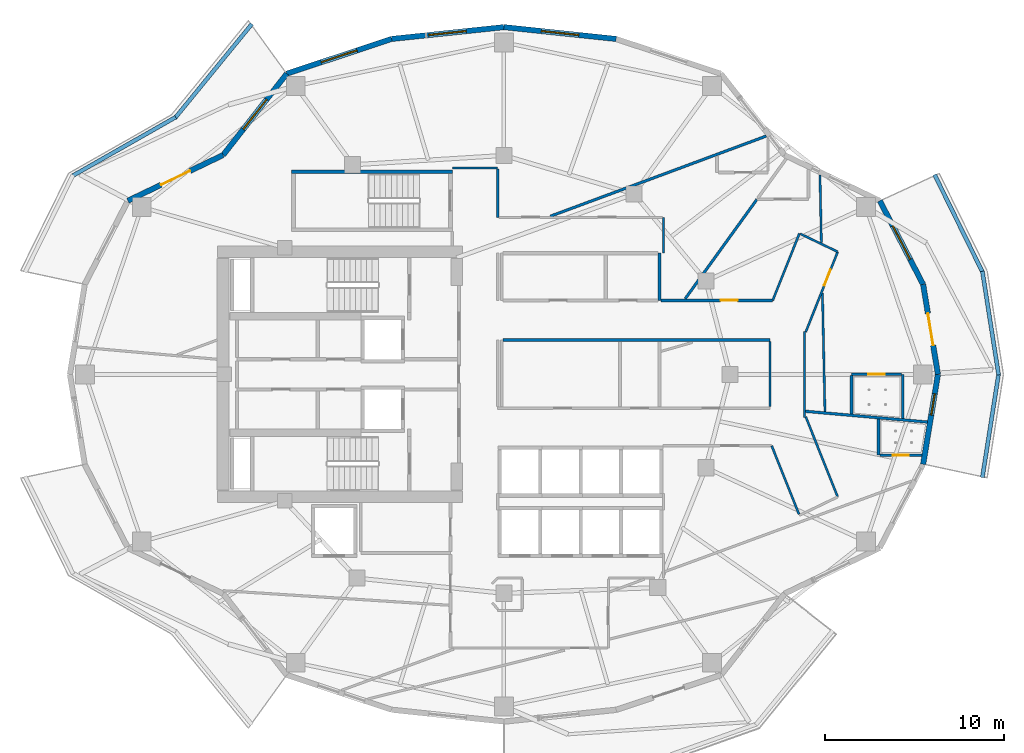
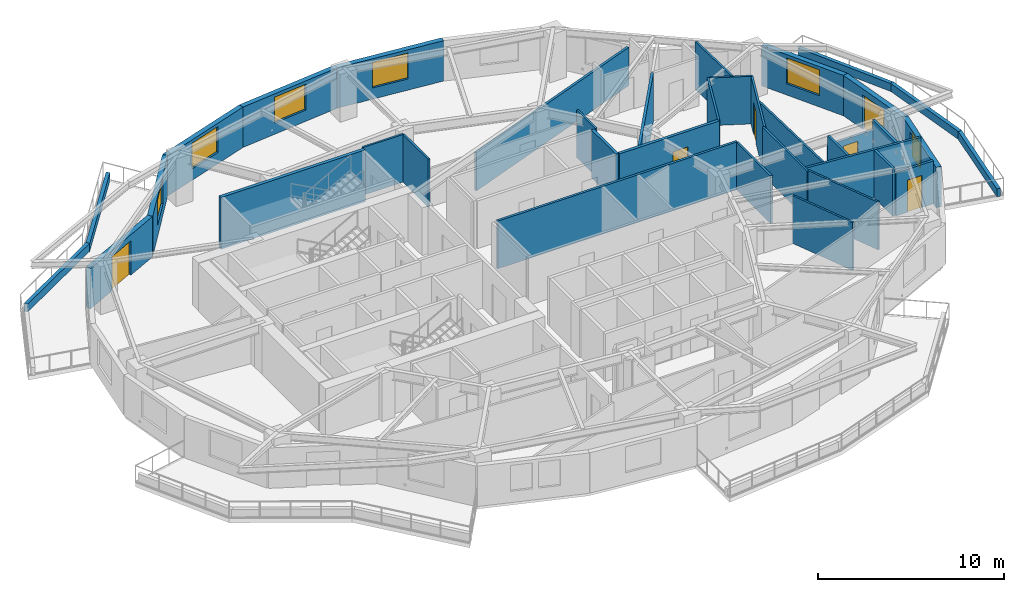
# One storey, part 6 of 14: 37 walls, 6 doors, 6 windows, 12 openings.
"""IFC4 building model written with IfcOpenShell, lengths in metres."""

import ifcopenshell
import ifcopenshell.guid

model = None  # the IFC model being written
_history = None  # IfcOwnerHistory: only IFC2X3 demands one
_inside = {}  # id of a spatial element -> (the spatial element, [elements in it])
_under = {}  # id of a project, library or spatial element -> (it, [spatial elements below it])
_declared = {}  # id of a project -> (the project, [libraries it declares])
_typed = {}  # id of a type object -> (the type object, [elements of that type])
_made_of = {}  # id of a material, layer set ... -> (it, [elements and type objects made of it])


def new_model(schema):
    """Start an empty IFC model of exactly this schema.

    Asked for "IFC4X3", IfcOpenShell would pick the latest addendum, in which some entities
    have other attributes; the version numbers below select the first issue.
    IFC2X3 requires an IfcOwnerHistory on every rooted entity: one is made here for all.
    """
    global model, _history
    if schema == "IFC4X3":
        model = ifcopenshell.file(schema_version=(4, 3, 0, 0))
    else:
        model = ifcopenshell.file(schema=schema)
    _inside.clear()
    _under.clear()
    _declared.clear()
    _typed.clear()
    _made_of.clear()
    _history = None
    if model.schema == "IFC2X3":
        org = make("IfcOrganization", Name="unknown")
        user = make(
            "IfcPersonAndOrganization",
            ThePerson=make("IfcPerson", FamilyName="unknown"),
            TheOrganization=org,
        )
        app = make(
            "IfcApplication",
            ApplicationDeveloper=org,
            Version="unknown",
            ApplicationFullName="unknown",
            ApplicationIdentifier="unknown",
        )
        _history = make(
            "IfcOwnerHistory",
            OwningUser=user,
            OwningApplication=app,
            ChangeAction="ADDED",
            CreationDate=0,
        )
    return model


def make(cls, **values):
    """One entity of the class cls with the attributes given. An attribute that is None is left unset."""
    return model.create_entity(
        cls, **{name: value for name, value in values.items() if value is not None}
    )


def rooted(cls, **values):
    """An entity with a GlobalId (a new one), such as an element, a storey or a relation."""
    return make(cls, GlobalId=ifcopenshell.guid.new(), OwnerHistory=_history, **values)


def si_unit(unit_type, name, prefix=None):
    """IfcSIUnit, for example si_unit("LENGTHUNIT", "METRE", prefix="MILLI")."""
    return make("IfcSIUnit", UnitType=unit_type, Prefix=prefix, Name=name)


def assignment(units):
    """IfcUnitAssignment: the units of a project."""
    return None if units is None else make("IfcUnitAssignment", Units=units)


def point(xyz):
    """IfcCartesianPoint."""
    return None if xyz is None else make("IfcCartesianPoint", Coordinates=xyz)


def direction(xyz):
    """IfcDirection."""
    return None if xyz is None else make("IfcDirection", DirectionRatios=xyz)


def frame(location, z_axis=None, x_axis=None):
    """IfcAxis2Placement3D, a coordinate frame: its origin and axes. An axis left out is left unset."""
    return make(
        "IfcAxis2Placement3D",
        Location=point(location),
        Axis=direction(z_axis),
        RefDirection=direction(x_axis),
    )


def frame_2d(location, x_axis=None):
    """IfcAxis2Placement2D, a coordinate frame in the plane: its origin and x axis."""
    return make(
        "IfcAxis2Placement2D", Location=point(location), RefDirection=direction(x_axis)
    )


def origin():
    """The frame at (0, 0, 0) with its axes left unset."""
    return frame((0.0, 0.0, 0.0))


def place(relative_to, where):
    """IfcLocalPlacement: puts the frame where relative to a parent placement (None: the world)."""
    return make(
        "IfcLocalPlacement", PlacementRelTo=relative_to, RelativePlacement=where
    )


def context(
    kind, dimensions, precision=None, world=None, true_north=None, identifier=None
):
    """IfcGeometricRepresentationContext, for example the 3D "Model" context."""
    return make(
        "IfcGeometricRepresentationContext",
        ContextIdentifier=identifier,
        ContextType=kind,
        CoordinateSpaceDimension=dimensions,
        Precision=precision,
        WorldCoordinateSystem=world,
        TrueNorth=true_north,
    )


def subcontext(parent, identifier, kind, view, scale=None):
    """IfcGeometricRepresentationSubContext, for example "Body" below "Model"."""
    return make(
        "IfcGeometricRepresentationSubContext",
        ContextIdentifier=identifier,
        ContextType=kind,
        ParentContext=parent,
        TargetScale=scale,
        TargetView=view,
    )


def project(units=None, contexts=None):
    """IfcProject with its units and contexts."""
    return rooted(
        "IfcProject",
        Name="project",
        RepresentationContexts=contexts,
        UnitsInContext=assignment(units),
    )


def spatial(cls, under=None, at=None, **own):
    """A site, building, storey or space (cls), placed at a placement, below another one or the project."""
    s = rooted(cls, ObjectPlacement=at, **own)
    if under is not None:
        _under.setdefault(under.id(), (under, []))[1].append(s)
    return s


def profile(cls, at=None, kind="AREA", **sizes):
    """A parametric profile (cls). Its sizes go by their IFC names, for example OverallWidth=200.0."""
    return make(cls, ProfileType=kind, Position=at, **sizes)


def rectangle(**sizes):
    """IfcRectangleProfileDef."""
    return profile("IfcRectangleProfileDef", **sizes)


def extrude(swept, where, along, depth):
    """IfcExtrudedAreaSolid: the profile swept, set in the frame where, extruded along a direction by depth."""
    return make(
        "IfcExtrudedAreaSolid",
        SweptArea=swept,
        Position=where,
        ExtrudedDirection=direction(along),
        Depth=depth,
    )


def shape(context_of_items, identifier, shape_type, items):
    """IfcShapeRepresentation: the items that make up one representation, for example the "Body"."""
    return make(
        "IfcShapeRepresentation",
        ContextOfItems=context_of_items,
        RepresentationIdentifier=identifier,
        RepresentationType=shape_type,
        Items=items,
    )


def material(Name=None, Category=None):
    """IfcMaterial."""
    return make("IfcMaterial", Name=Name, Category=Category)


def layer(
    of_material, thickness, ventilated=None, Name=None, Category=None, Priority=None
):
    """IfcMaterialLayer: one layer of a wall or slab, of a material (None: an air gap)."""
    return make(
        "IfcMaterialLayer",
        Material=of_material,
        LayerThickness=thickness,
        IsVentilated=ventilated,
        Name=Name,
        Category=Category,
        Priority=Priority,
    )


def layer_set(layers, Name=None):
    """IfcMaterialLayerSet."""
    return make("IfcMaterialLayerSet", MaterialLayers=layers, LayerSetName=Name)


def made_of(thing, what):
    """Note that an element or type object is made of a material, layer set ...; save() writes the relation."""
    if what is not None:
        _made_of.setdefault(what.id(), (what, []))[1].append(thing)
    return thing


def type_object(cls, material=None, **own):
    """A type object (cls), such as IfcWallType, which elements share."""
    return made_of(rooted(cls, **own), material)


def element(
    cls,
    number,
    at=None,
    inside=None,
    cuts=None,
    type_object=None,
    material=None,
    context=None,
    identifier="Body",
    shape_type=None,
    held_by="IfcProductDefinitionShape",
    body=None,
    shapes=None,
    **own,
):
    """One element of the class cls, such as IfcWall. Its Tag is "e" and its number.

    at: its placement. inside: the storey or other place that contains it. cuts: it is an
    opening in that element (IfcRelVoidsElement). A single representation is given by context,
    identifier, shape_type and body (its items); several are given by shapes. held_by: the class
    of the entity that holds the representations. save() writes the other relations.
    """
    e = rooted(cls, Tag="e%d" % number, ObjectPlacement=at, **own)
    if body is not None:
        shapes = [shape(context, identifier, shape_type, body)]
    if shapes is not None:
        e.Representation = make(held_by, Representations=shapes)
    if inside is not None:
        _inside.setdefault(inside.id(), (inside, []))[1].append(e)
    if cuts is not None:
        rooted(
            "IfcRelVoidsElement", RelatingBuildingElement=cuts, RelatedOpeningElement=e
        )
    if type_object is not None:
        _typed.setdefault(type_object.id(), (type_object, []))[1].append(e)
    return made_of(e, material)


def fill(opening, filler):
    """IfcRelFillsElement: the door or window that sits in an opening."""
    return rooted(
        "IfcRelFillsElement",
        RelatingOpeningElement=opening,
        RelatedBuildingElement=filler,
    )


def aggregate(whole, parts):
    """IfcRelAggregates: a whole, such as a stair, and the parts it consists of."""
    return rooted("IfcRelAggregates", RelatingObject=whole, RelatedObjects=parts)


def save(model, path):
    """Write the relations noted so far, then the file.

    IfcRelAggregates (storeys below a building ...), IfcRelContainedInSpatialStructure (elements
    in a storey), IfcRelDefinesByType, IfcRelAssociatesMaterial and IfcRelDeclares: one each for
    every whole, place, type object, material and project.
    """
    for whole, parts in _under.values():
        aggregate(whole, parts)
    for where, things in _inside.values():
        rooted(
            "IfcRelContainedInSpatialStructure",
            RelatedElements=things,
            RelatingStructure=where,
        )
    for kind, things in _typed.values():
        rooted("IfcRelDefinesByType", RelatedObjects=things, RelatingType=kind)
    for what, things in _made_of.values():
        rooted("IfcRelAssociatesMaterial", RelatedObjects=things, RelatingMaterial=what)
    for by, libraries in _declared.values():
        rooted("IfcRelDeclares", RelatingContext=by, RelatedDefinitions=libraries)
    model.write(path)


model = new_model("IFC4")

# Units and contexts
model_context = context("Model", 3, precision=1e-05, world=origin(), true_north=direction((0.0, 1.0)))
body_context = subcontext(model_context, "Body", "Model", "MODEL_VIEW")
ifc_project = project(units=[si_unit("LENGTHUNIT", "METRE"), si_unit("AREAUNIT", "SQUARE_METRE"), si_unit("VOLUMEUNIT", "CUBIC_METRE"), si_unit("PLANEANGLEUNIT", "RADIAN"), si_unit("MASSUNIT", "GRAM", prefix="KILO")], contexts=[model_context])

# Site, building, storey
site_placement = place(None, origin())
site = spatial("IfcSite", under=ifc_project, at=site_placement, CompositionType="ELEMENT")
building_placement = place(site_placement, origin())
building = spatial("IfcBuilding", under=site, at=building_placement, Name="Kolvaren Gate Tower and Convention Centre", CompositionType="ELEMENT")
storey_placement = place(building_placement, frame((0.0, 0.0, 132.5)))
storey = spatial("IfcBuildingStorey", under=building, at=storey_placement, Name="L33", CompositionType="ELEMENT", Elevation=132.5)

# Wall
ifc_material_1 = material(Name="Autoclaved Aerated Masonry Blockwork Class 4 (4.0 MPa)", Category="masonry")
ifc_layer_1 = layer(ifc_material_1, 0.179931640625)
ifc_layer_set_1 = layer_set([ifc_layer_1], Name="Autoclaved Aerated Masonry Blockwork Class 4 (4.0 MPa)")
wall_type_1 = type_object("IfcWallType", Name="ARCH-WL-COMP-180", PredefinedType="SOLIDWALL", material=ifc_layer_set_1)
wall_1_placement = place(storey_placement, frame((38.800048828125, 31.1201171875, 0.0), z_axis=(0.0, 0.0, 1.0), x_axis=(0.0, 1.0, 0.0)))
element("IfcWall", 1, at=wall_1_placement, inside=storey, type_object=wall_type_1, Name="Interior Partition WL-L33-INT-018", PredefinedType="SOLIDWALL", context=body_context, shape_type="SweptSolid", body=[
    extrude(rectangle(XDim=2.6298828125, YDim=0.179931640625, at=frame_2d((1.31494140625, 0.0))), origin(), (0.0, 0.0, 1.0), 3.1298828125),
])

# Wall, opening, door
wall_2_placement = place(storey_placement, frame((38.89208984375, 31.1201171875, 0.0), z_axis=(0.0, 0.0, 1.0), x_axis=(1.0, 0.0, 0.0)))
wall_2 = element("IfcWall", 2, at=wall_2_placement, inside=storey, type_object=wall_type_1, Name="Interior Partition WL-L33-INT-019 (2)", PredefinedType="SOLIDWALL", context=body_context, shape_type="SweptSolid", body=[
    extrude(rectangle(XDim=6.2138671875, YDim=0.179931640625, at=frame_2d((3.10693359375, 0.0))), origin(), (0.0, 0.0, 1.0), 3.1298828125),
])
opening_1_placement = place(wall_2_placement, frame((3.3134765625, 0.0, 0.0)))
opening_1 = element("IfcOpeningElement", 3, at=opening_1_placement, cuts=wall_2, Name="Opening DR-01", PredefinedType="OPENING", context=body_context, shape_type="SweptSolid", body=[
    extrude(rectangle(XDim=0.949951171875, YDim=2.10009765625, at=frame_2d((0.47509765625, 1.050048828125))), frame((0.0, 0.099853515625, 0.0), z_axis=(0.0, -1.0, 0.0), x_axis=(1.0, 0.0, 0.0)), (0.0, 0.0, 1.0), 0.199951171875),
])
ifc_material_2 = material(Name="Painted Architectural Steelwork ASTM A500 Grade C 345 MPa", Category="steel")
door_type_1 = type_object("IfcDoorType", Name="ARCH-DR-RISER-950", OperationType="SINGLE_SWING_RIGHT", PredefinedType="DOOR", material=ifc_material_2)
door_1_placement = place(opening_1_placement, origin())
door_1 = element("IfcDoor", 4, at=door_1_placement, inside=storey, type_object=door_type_1, Name="Hotel Guest Room (HTL-L33-08) Door", OperationType="SINGLE_SWING_RIGHT", OverallHeight=2.10009765625, OverallWidth=0.949951171875, PredefinedType="DOOR", context=body_context, shape_type="SweptSolid", body=[
    extrude(rectangle(XDim=0.949951171875, YDim=2.10009765625, at=frame_2d((0.47509765625, 1.050048828125))), frame((0.0, 0.02490234375, 0.0), z_axis=(0.0, -1.0, 0.0), x_axis=(1.0, 0.0, 0.0)), (0.0, 0.0, 1.0), 0.050048828125),
])
fill(opening_1, door_1)

# Walls
ifc_material_3 = material(Name="Fire-Rated Acoustic Gypsum Stud Partition", Category="gypsum")
ifc_layer_2 = layer(ifc_material_3, 0.1201171875)
ifc_layer_set_2 = layer_set([ifc_layer_2], Name="Fire-Rated Acoustic Gypsum Stud Partition")
wall_type_2 = type_object("IfcWallType", Name="ARCH-WL-PART-120", PredefinedType="PARTITIONING", material=ifc_layer_set_2)
wall_3_placement = place(storey_placement, frame((39.02001953125, 33.75, 0.0), z_axis=(0.0, 0.0, 1.0), x_axis=(0.0, 1.0, 0.0)))
element("IfcWall", 5, at=wall_3_placement, inside=storey, type_object=wall_type_2, Name="Interior Partition WL-L33-INT-023", PredefinedType="PARTITIONING", context=body_context, shape_type="SweptSolid", body=[
    extrude(rectangle(XDim=2.0, YDim=0.1201171875, at=frame_2d((1.0, 0.0))), origin(), (0.0, 0.0, 1.0), 3.1298828125),
])
wall_4_placement = place(storey_placement, frame((27.25, 38.5, 0.0), z_axis=(0.0, 0.0, 1.0), x_axis=(1.0, 0.0, 0.0)))
element("IfcWall", 6, at=wall_4_placement, inside=storey, type_object=wall_type_2, Name="Interior Partition WL-L33-INT-029", PredefinedType="PARTITIONING", context=body_context, shape_type="SweptSolid", body=[
    extrude(rectangle(XDim=2.530029296875, YDim=0.1201171875, at=frame_2d((1.26513671875, 0.0))), origin(), (0.0, 0.0, 1.0), 3.1298828125),
])
wall_5_placement = place(storey_placement, frame((29.780029296875, 35.75, 0.0), z_axis=(0.0, 0.0, 1.0), x_axis=(0.0, 1.0, 0.0)))
element("IfcWall", 7, at=wall_5_placement, inside=storey, type_object=wall_type_2, Name="Interior Partition WL-L33-INT-033", PredefinedType="PARTITIONING", context=body_context, shape_type="SweptSolid", body=[
    extrude(rectangle(XDim=2.68798828125, YDim=0.1201171875, at=frame_2d((1.343994140625, 0.0))), origin(), (0.0, 0.0, 1.0), 3.1298828125),
])
wall_6_placement = place(storey_placement, frame((45.10595703125, 31.1201171875, 0.0), z_axis=(0.0, 0.0, 1.0), x_axis=(0.370123465787, 0.928982572535, 0.0)))
element("IfcWall", 8, at=wall_6_placement, inside=storey, type_object=wall_type_2, Name="Interior Partition WL-L33-INT-035", PredefinedType="PARTITIONING", context=body_context, shape_type="SweptSolid", body=[
    extrude(rectangle(XDim=4.020263671875, YDim=0.1201171875, at=frame_2d((2.01025390625, 0.0))), origin(), (0.0, 0.0, 1.0), 3.1298828125),
])
wall_7_placement = place(storey_placement, frame((46.64990234375, 34.828125, 0.0), z_axis=(0.0, 0.0, 1.0), x_axis=(0.901271525254, -0.433254703109, 0.0)))
element("IfcWall", 9, at=wall_7_placement, inside=storey, type_object=wall_type_2, Name="Interior Partition WL-L33-INT-036", PredefinedType="PARTITIONING", context=body_context, shape_type="SweptSolid", body=[
    extrude(rectangle(XDim=2.3037109375, YDim=0.1201171875, at=frame_2d((1.15185546875, 0.0))), origin(), (0.0, 0.0, 1.0), 3.1298828125),
])

# Wall, opening, door
wall_8_placement = place(storey_placement, frame((46.946044921875, 29.363037109375, 0.0), z_axis=(0.0, 0.0, 1.0), x_axis=(0.370173596818, 0.928962597858, 0.0)))
wall_8 = element("IfcWall", 10, at=wall_8_placement, inside=storey, type_object=wall_type_2, Name="Interior Partition WL-L33-INT-037", PredefinedType="PARTITIONING", context=body_context, shape_type="SweptSolid", body=[
    extrude(rectangle(XDim=4.80859375, YDim=0.1201171875, at=frame_2d((2.404296875, 0.0))), origin(), (0.0, 0.0, 1.0), 3.1298828125),
])
opening_2_placement = place(wall_8_placement, frame((2.788330078125, 0.0, 0.0)))
opening_2 = element("IfcOpeningElement", 11, at=opening_2_placement, cuts=wall_8, Name="Opening DR-01", PredefinedType="OPENING", context=body_context, shape_type="SweptSolid", body=[
    extrude(rectangle(XDim=0.949951171875, YDim=2.10009765625, at=frame_2d((0.47509765625, 1.050048828125))), frame((0.0, 0.070068359375, 0.0), z_axis=(0.0, -1.0, 0.0), x_axis=(1.0, 0.0, 0.0)), (0.0, 0.0, 1.0), 0.14013671875),
])
door_2_placement = place(opening_2_placement, origin())
door_2 = element("IfcDoor", 12, at=door_2_placement, inside=storey, type_object=door_type_1, Name="Hotel Guest Room (HTL-L33-07) Door", OperationType="SINGLE_SWING_LEFT", OverallHeight=2.10009765625, OverallWidth=0.949951171875, PredefinedType="DOOR", context=body_context, shape_type="SweptSolid", body=[
    extrude(rectangle(XDim=0.949951171875, YDim=2.10009765625, at=frame_2d((0.47509765625, 1.050048828125))), frame((0.0, 0.02490234375, 0.0), z_axis=(0.0, -1.0, 0.0), x_axis=(1.0, 0.0, 0.0)), (0.0, 0.0, 1.0), 0.050048828125),
])
fill(opening_2, door_2)

# Walls
wall_9_placement = place(storey_placement, frame((46.8701171875, 24.60595703125, 0.0), z_axis=(0.0, 0.0, 1.0), x_axis=(0.0, 1.0, 0.0)))
element("IfcWall", 13, at=wall_9_placement, inside=storey, type_object=wall_type_2, Name="Interior Partition WL-L33-INT-038", PredefinedType="PARTITIONING", context=body_context, shape_type="SweptSolid", body=[
    extrude(rectangle(XDim=4.7880859375, YDim=0.1201171875, at=frame_2d((2.39404296875, 0.0))), origin(), (0.0, 0.0, 1.0), 3.1298828125),
])
wall_10_placement = place(storey_placement, frame((46.946044921875, 24.636962890625, 0.0), z_axis=(0.0, 0.0, 1.0), x_axis=(0.370173596818, -0.928962597858, 0.0)))
element("IfcWall", 14, at=wall_10_placement, inside=storey, type_object=wall_type_2, Name="Interior Partition WL-L33-INT-039", PredefinedType="PARTITIONING", context=body_context, shape_type="SweptSolid", body=[
    extrude(rectangle(XDim=4.80859375, YDim=0.1201171875, at=frame_2d((2.404296875, 0.0))), origin(), (0.0, 0.0, 1.0), 3.1298828125),
])
wall_11_placement = place(storey_placement, frame((45.050048828125, 23.02001953125, 0.0), z_axis=(0.0, 0.0, 1.0), x_axis=(0.370140626192, -0.928975735335, 0.0)))
element("IfcWall", 15, at=wall_11_placement, inside=storey, type_object=wall_type_2, Name="Interior Partition WL-L33-INT-041", PredefinedType="PARTITIONING", context=body_context, shape_type="SweptSolid", body=[
    extrude(rectangle(XDim=4.109130859375, YDim=0.1201171875, at=frame_2d((2.0546875, 0.0))), origin(), (0.0, 0.0, 1.0), 3.1298828125),
])
wall_12_placement = place(storey_placement, frame((44.949951171875, 25.197021484375, 0.0), z_axis=(0.0, 0.0, 1.0), x_axis=(0.0, 1.0, 0.0)))
element("IfcWall", 16, at=wall_12_placement, inside=storey, type_object=wall_type_2, Name="Interior Partition WL-L33-INT-043", PredefinedType="PARTITIONING", context=body_context, shape_type="SweptSolid", body=[
    extrude(rectangle(XDim=3.64599609375, YDim=0.1201171875, at=frame_2d((1.822998046875, 0.0))), origin(), (0.0, 0.0, 1.0), 3.1298828125),
])
wall_13_placement = place(storey_placement, frame((47.738037109375, 38.108154296875, 0.0), z_axis=(0.0, 0.0, 1.0), x_axis=(0.021028225265, -0.999778882425, 0.0)))
element("IfcWall", 17, at=wall_13_placement, inside=storey, type_object=wall_type_2, Name="Interior Partition WL-L33-INT-062", PredefinedType="PARTITIONING", context=body_context, shape_type="SweptSolid", body=[
    extrude(rectangle(XDim=3.773193359375, YDim=0.1201171875, at=frame_2d((1.88671875, 0.0))), origin(), (0.0, 0.0, 1.0), 3.1298828125),
])
wall_14_placement = place(storey_placement, frame((47.876220703125, 31.5302734375, 0.0), z_axis=(0.0, 0.0, 1.0), x_axis=(0.021060407881, -0.999778205013, 0.0)))
element("IfcWall", 18, at=wall_14_placement, inside=storey, type_object=wall_type_2, Name="Interior Partition WL-L33-INT-063", PredefinedType="PARTITIONING", context=body_context, shape_type="SweptSolid", body=[
    extrude(rectangle(XDim=6.607666015625, YDim=0.1201171875, at=frame_2d((3.3037109375, 0.0))), origin(), (0.0, 0.0, 1.0), 3.1298828125),
])
ifc_material_4 = material(Name="Piedmont Cream Honed Limestone Cladding", Category="masonry")
ifc_layer_3 = layer(ifc_material_4, 0.219970703125)
ifc_layer_set_3 = layer_set([ifc_layer_3], Name="Piedmont Cream Honed Limestone Cladding")
wall_type_3 = type_object("IfcWallType", Name="ARCH-WL-PLANTER-220", PredefinedType="PARAPET", material=ifc_layer_set_3)
wall_15_placement = place(storey_placement, frame((11.791015625, 41.274169921875, 0.0), z_axis=(0.0, 0.0, 1.0), x_axis=(0.633024046468, 0.774132131224, 0.0)))
element("IfcWall", 19, at=wall_15_placement, inside=storey, type_object=wall_type_3, Name="Vertical-Forest Balcony Stone Planter Kerb PK-L33-1.1", PredefinedType="PARAPET", context=body_context, shape_type="SweptSolid", body=[
    extrude(rectangle(XDim=6.780517578125, YDim=0.219970703125, at=frame_2d((3.39013671875, 0.0))), origin(), (0.0, 0.0, 1.0), 0.52001953125),
])
wall_16_placement = place(storey_placement, frame((6.095458984375, 38.065673828125, 0.0), z_axis=(0.0, 0.0, 1.0), x_axis=(0.869187658335, 0.494482370361, 0.0)))
element("IfcWall", 20, at=wall_16_placement, inside=storey, type_object=wall_type_3, Name="Vertical-Forest Balcony Stone Planter Kerb PK-L33-1.2", PredefinedType="PARAPET", context=body_context, shape_type="SweptSolid", body=[
    extrude(rectangle(XDim=6.606201171875, YDim=0.219970703125, at=frame_2d((3.30322265625, 0.0))), origin(), (0.0, 0.0, 1.0), 0.52001953125),
])
for number, where, z_axis, x_axis, name in (
    (21, (56.78857421875, 21.254150390625, 0.0), (0.0, 0.0, 1.0), (0.154903030247, 0.987929679289, 0.0), "Vertical-Forest Balcony Stone Planter Kerb PK-L33-4.1"),
    (22, (56.78857421875, 32.745849609375, 0.0), (0.0, 0.0, 1.0), (0.154903030247, -0.987929679289, 0.0), "Vertical-Forest Balcony Stone Planter Kerb PK-L33-4.2"),
):
    element("IfcWall", number, at=place(storey_placement, frame(where, z_axis=z_axis, x_axis=x_axis)), inside=storey, type_object=wall_type_3, Name=name, PredefinedType="PARAPET", context=body_context, shape_type="SweptSolid", body=[
        extrude(rectangle(XDim=5.845703125, YDim=0.219970703125, at=frame_2d((2.9228515625, 0.0))), origin(), (0.0, 0.0, 1.0), 0.52001953125),
    ])
wall_17_placement = place(storey_placement, frame((54.12890625, 38.12158203125, 0.0), z_axis=(0.0, 0.0, 1.0), x_axis=(0.441269631716, -0.897374566235, 0.0)))
element("IfcWall", 23, at=wall_17_placement, inside=storey, type_object=wall_type_3, Name="Vertical-Forest Balcony Stone Planter Kerb PK-L33-4.3", PredefinedType="PARAPET", context=body_context, shape_type="SweptSolid", body=[
    extrude(rectangle(XDim=6.05615234375, YDim=0.219970703125, at=frame_2d((3.028076171875, 0.0))), origin(), (0.0, 0.0, 1.0), 0.52001953125),
])

# Wall, opening, door
ifc_layer_4 = layer(ifc_material_4, 0.300048828125)
ifc_layer_set_4 = layer_set([ifc_layer_4], Name="Piedmont Cream Honed Limestone Cladding")
wall_type_4 = type_object("IfcWallType", Name="ARCH-WL-STONE-300", PredefinedType="SOLIDWALL", material=ifc_layer_set_4)
wall_18_placement = place(storey_placement, frame((53.48828125, 32.008056640625, 0.0), z_axis=(0.0, 0.0, 1.0), x_axis=(0.162393944769, -0.986726003864, 0.0)))
wall_18 = element("IfcWall", 24, at=wall_18_placement, inside=storey, type_object=wall_type_4, Name="Tower L33 Honed Stone Spandrel Wall EW-00", PredefinedType="SOLIDWALL", context=body_context, shape_type="SweptSolid", body=[
    extrude(rectangle(XDim=5.075439453125, YDim=0.300048828125, at=frame_2d((2.53759765625, 0.0))), origin(), (0.0, 0.0, 1.0), 2.653076171875),
])
opening_3_placement = place(wall_18_placement, frame((1.637939453125, 0.0, 0.0)))
opening_3 = element("IfcOpeningElement", 25, at=opening_3_placement, cuts=wall_18, Name="Opening DB-01", PredefinedType="OPENING", context=body_context, shape_type="SweptSolid", body=[
    extrude(rectangle(XDim=1.800048828125, YDim=2.25, at=frame_2d((0.89990234375, 1.125))), frame((0.0, 0.159912109375, 0.0), z_axis=(0.0, -1.0, 0.0), x_axis=(1.0, 0.0, 0.0)), (0.0, 0.0, 1.0), 0.320068359375),
])
ifc_material_5 = material(Name="Anodized Architectural Aluminium Alloy 6063-T6", Category="aluminium")
door_type_2 = type_object("IfcDoorType", Name="ARCH-DR-BALC-1800", OperationType="SLIDING_TO_LEFT", PredefinedType="DOOR", material=ifc_material_5)
door_3_placement = place(opening_3_placement, origin())
door_3 = element("IfcDoor", 26, at=door_3_placement, inside=storey, type_object=door_type_2, Name="Planted Sky Terrace Access Door DB-L33-00", OperationType="SLIDING_TO_LEFT", OverallHeight=2.25, OverallWidth=1.800048828125, PredefinedType="DOOR", context=body_context, shape_type="SweptSolid", body=[
    extrude(rectangle(XDim=1.800048828125, YDim=2.25, at=frame_2d((0.89990234375, 1.125))), frame((0.0, 0.02490234375, 0.0), z_axis=(0.0, -1.0, 0.0), x_axis=(1.0, 0.0, 0.0)), (0.0, 0.0, 1.0), 0.050048828125),
])
fill(opening_3, door_3)

# Wall, opening, window
wall_19_placement = place(storey_placement, frame((51.072021484375, 36.675048828125, 0.0), z_axis=(0.0, 0.0, 1.0), x_axis=(0.459767899643, -0.888039119892, 0.0)))
wall_19 = element("IfcWall", 27, at=wall_19_placement, inside=storey, type_object=wall_type_4, Name="Tower L33 Honed Stone Spandrel Wall EW-01", PredefinedType="SOLIDWALL", context=body_context, shape_type="SweptSolid", body=[
    extrude(rectangle(XDim=5.25537109375, YDim=0.300048828125, at=frame_2d((2.627685546875, 0.0))), origin(), (0.0, 0.0, 1.0), 2.653076171875),
])
opening_4_placement = place(wall_19_placement, frame((1.577880859375, 0.0, 0.739990234375)))
opening_4 = element("IfcOpeningElement", 28, at=opening_4_placement, cuts=wall_19, Name="Opening W-02", PredefinedType="OPENING", context=body_context, shape_type="SweptSolid", body=[
    extrude(rectangle(XDim=2.10009765625, YDim=1.699951171875, at=frame_2d((1.050048828125, 0.85009765625))), frame((0.0, 0.159912109375, 0.0), z_axis=(0.0, -1.0, 0.0), x_axis=(1.0, 0.0, 0.0)), (0.0, 0.0, 1.0), 0.320068359375),
])
ifc_material_6 = material(Name="Low-E Triple Insulated Glazing Unit 44 mm", Category="glass")
window_type_1 = type_object("IfcWindowType", Name="ARCH-WN-HTL-2100", PartitioningType="SINGLE_PANEL", PredefinedType="WINDOW", material=ifc_material_6)
window_1_placement = place(opening_4_placement, origin())
window_1 = element("IfcWindow", 29, at=window_1_placement, inside=storey, type_object=window_type_1, Name="Tower L33 Punched Stone Facade Window W-01", OverallHeight=1.699951171875, OverallWidth=2.10009765625, PartitioningType="SINGLE_PANEL", PredefinedType="WINDOW", context=body_context, shape_type="SweptSolid", body=[
    extrude(rectangle(XDim=2.10009765625, YDim=1.699951171875, at=frame_2d((1.050048828125, 0.85009765625))), frame((0.0, 0.030029296875, 0.0), z_axis=(0.0, -1.0, 0.0), x_axis=(1.0, 0.0, 0.0)), (0.0, 0.0, 1.0), 0.06005859375),
])
fill(opening_4, window_1)

wall_20_placement = place(storey_placement, frame((30.125, 46.35009765625, 0.0), z_axis=(0.0, 0.0, 1.0), x_axis=(0.994498012394, -0.104755445421, 0.0)))
wall_20 = element("IfcWall", 30, at=wall_20_placement, inside=storey, type_object=wall_type_4, Name="Tower L33 Honed Stone Spandrel Wall EW-05", PredefinedType="SOLIDWALL", context=body_context, shape_type="SweptSolid", body=[
    extrude(rectangle(XDim=6.294921875, YDim=0.300048828125, at=frame_2d((3.1474609375, 0.0))), origin(), (0.0, 0.0, 1.0), 2.653076171875),
])
opening_5_placement = place(wall_20_placement, frame((2.096923828125, 0.0, 0.739990234375)))
opening_5 = element("IfcOpeningElement", 31, at=opening_5_placement, cuts=wall_20, Name="Opening W-02", PredefinedType="OPENING", context=body_context, shape_type="SweptSolid", body=[
    extrude(rectangle(XDim=2.10009765625, YDim=1.699951171875, at=frame_2d((1.050048828125, 0.85009765625))), frame((0.0, 0.159912109375, 0.0), z_axis=(0.0, -1.0, 0.0), x_axis=(1.0, 0.0, 0.0)), (0.0, 0.0, 1.0), 0.320068359375),
])
window_2_placement = place(opening_5_placement, origin())
window_2 = element("IfcWindow", 32, at=window_2_placement, inside=storey, type_object=window_type_1, Name="Tower L33 Punched Stone Facade Window W-05", OverallHeight=1.699951171875, OverallWidth=2.10009765625, PartitioningType="SINGLE_PANEL", PredefinedType="WINDOW", context=body_context, shape_type="SweptSolid", body=[
    extrude(rectangle(XDim=2.10009765625, YDim=1.699951171875, at=frame_2d((1.050048828125, 0.85009765625))), frame((0.0, 0.030029296875, 0.0), z_axis=(0.0, -1.0, 0.0), x_axis=(1.0, 0.0, 0.0)), (0.0, 0.0, 1.0), 0.06005859375),
])
fill(opening_5, window_2)

wall_21_placement = place(storey_placement, frame((23.86474609375, 45.690673828125, 0.0), z_axis=(0.0, 0.0, 1.0), x_axis=(0.994498012394, 0.104755445421, 0.0)))
wall_21 = element("IfcWall", 33, at=wall_21_placement, inside=storey, type_object=wall_type_4, Name="Tower L33 Honed Stone Spandrel Wall EW-06", PredefinedType="SOLIDWALL", context=body_context, shape_type="SweptSolid", body=[
    extrude(rectangle(XDim=6.294921875, YDim=0.300048828125, at=frame_2d((3.1474609375, 0.0))), origin(), (0.0, 0.0, 1.0), 2.653076171875),
])
opening_6_placement = place(wall_21_placement, frame((2.096923828125, 0.0, 0.739990234375)))
opening_6 = element("IfcOpeningElement", 34, at=opening_6_placement, cuts=wall_21, Name="Opening W-02", PredefinedType="OPENING", context=body_context, shape_type="SweptSolid", body=[
    extrude(rectangle(XDim=2.10009765625, YDim=1.699951171875, at=frame_2d((1.050048828125, 0.85009765625))), frame((0.0, 0.159912109375, 0.0), z_axis=(0.0, -1.0, 0.0), x_axis=(1.0, 0.0, 0.0)), (0.0, 0.0, 1.0), 0.320068359375),
])
window_3_placement = place(opening_6_placement, origin())
window_3 = element("IfcWindow", 35, at=window_3_placement, inside=storey, type_object=window_type_1, Name="Tower L33 Punched Stone Facade Window W-06", OverallHeight=1.699951171875, OverallWidth=2.10009765625, PartitioningType="SINGLE_PANEL", PredefinedType="WINDOW", context=body_context, shape_type="SweptSolid", body=[
    extrude(rectangle(XDim=2.10009765625, YDim=1.699951171875, at=frame_2d((1.050048828125, 0.85009765625))), frame((0.0, 0.030029296875, 0.0), z_axis=(0.0, -1.0, 0.0), x_axis=(1.0, 0.0, 0.0)), (0.0, 0.0, 1.0), 0.06005859375),
])
fill(opening_6, window_3)

wall_22_placement = place(storey_placement, frame((18.03125, 43.757568359375, 0.0), z_axis=(0.0, 0.0, 1.0), x_axis=(0.949238009374, 0.314558741032, 0.0)))
wall_22 = element("IfcWall", 36, at=wall_22_placement, inside=storey, type_object=wall_type_4, Name="Tower L33 Honed Stone Spandrel Wall EW-07", PredefinedType="SOLIDWALL", context=body_context, shape_type="SweptSolid", body=[
    extrude(rectangle(XDim=6.1455078125, YDim=0.300048828125, at=frame_2d((3.07275390625, 0.0))), origin(), (0.0, 0.0, 1.0), 2.653076171875),
])
opening_7_placement = place(wall_22_placement, frame((2.02294921875, 0.0, 0.739990234375)))
opening_7 = element("IfcOpeningElement", 37, at=opening_7_placement, cuts=wall_22, Name="Opening W-02", PredefinedType="OPENING", context=body_context, shape_type="SweptSolid", body=[
    extrude(rectangle(XDim=2.10009765625, YDim=1.699951171875, at=frame_2d((1.050048828125, 0.85009765625))), frame((0.0, 0.159912109375, 0.0), z_axis=(0.0, -1.0, 0.0), x_axis=(1.0, 0.0, 0.0)), (0.0, 0.0, 1.0), 0.320068359375),
])
window_4_placement = place(opening_7_placement, origin())
window_4 = element("IfcWindow", 38, at=window_4_placement, inside=storey, type_object=window_type_1, Name="Tower L33 Punched Stone Facade Window W-07", OverallHeight=1.699951171875, OverallWidth=2.10009765625, PartitioningType="SINGLE_PANEL", PredefinedType="WINDOW", context=body_context, shape_type="SweptSolid", body=[
    extrude(rectangle(XDim=2.10009765625, YDim=1.699951171875, at=frame_2d((1.050048828125, 0.85009765625))), frame((0.0, 0.030029296875, 0.0), z_axis=(0.0, -1.0, 0.0), x_axis=(1.0, 0.0, 0.0)), (0.0, 0.0, 1.0), 0.06005859375),
])
fill(opening_7, window_4)

wall_23_placement = place(storey_placement, frame((14.481201171875, 39.222900390625, 0.0), z_axis=(0.0, 0.0, 1.0), x_axis=(0.616435134162, 0.787405693001, 0.0)))
wall_23 = element("IfcWall", 39, at=wall_23_placement, inside=storey, type_object=wall_type_4, Name="Tower L33 Honed Stone Spandrel Wall EW-08", PredefinedType="SOLIDWALL", context=body_context, shape_type="SweptSolid", body=[
    extrude(rectangle(XDim=5.759033203125, YDim=0.300048828125, at=frame_2d((2.87939453125, 0.0))), origin(), (0.0, 0.0, 1.0), 2.653076171875),
])
opening_8_placement = place(wall_23_placement, frame((1.8291015625, 0.0, 0.739990234375)))
opening_8 = element("IfcOpeningElement", 40, at=opening_8_placement, cuts=wall_23, Name="Opening W-02", PredefinedType="OPENING", context=body_context, shape_type="SweptSolid", body=[
    extrude(rectangle(XDim=2.10009765625, YDim=1.699951171875, at=frame_2d((1.050048828125, 0.85009765625))), frame((0.0, 0.159912109375, 0.0), z_axis=(0.0, -1.0, 0.0), x_axis=(1.0, 0.0, 0.0)), (0.0, 0.0, 1.0), 0.320068359375),
])
window_5_placement = place(opening_8_placement, origin())
window_5 = element("IfcWindow", 41, at=window_5_placement, inside=storey, type_object=window_type_1, Name="Tower L33 Punched Stone Facade Window W-08", OverallHeight=1.699951171875, OverallWidth=2.10009765625, PartitioningType="SINGLE_PANEL", PredefinedType="WINDOW", context=body_context, shape_type="SweptSolid", body=[
    extrude(rectangle(XDim=2.10009765625, YDim=1.699951171875, at=frame_2d((1.050048828125, 0.85009765625))), frame((0.0, 0.030029296875, 0.0), z_axis=(0.0, -1.0, 0.0), x_axis=(1.0, 0.0, 0.0)), (0.0, 0.0, 1.0), 0.06005859375),
])
fill(opening_8, window_5)

# Wall, opening, door
wall_24_placement = place(storey_placement, frame((9.177978515625, 36.675048828125, 0.0), z_axis=(0.0, 0.0, 1.0), x_axis=(0.901370184739, 0.433049408339, 0.0)))
wall_24 = element("IfcWall", 42, at=wall_24_placement, inside=storey, type_object=wall_type_4, Name="Tower L33 Honed Stone Spandrel Wall EW-09", PredefinedType="SOLIDWALL", context=body_context, shape_type="SweptSolid", body=[
    extrude(rectangle(XDim=5.883544921875, YDim=0.300048828125, at=frame_2d((2.94189453125, 0.0))), origin(), (0.0, 0.0, 1.0), 2.653076171875),
])
opening_9_placement = place(wall_24_placement, frame((2.0419921875, 0.0, 0.0)))
opening_9 = element("IfcOpeningElement", 43, at=opening_9_placement, cuts=wall_24, Name="Opening DB-01", PredefinedType="OPENING", context=body_context, shape_type="SweptSolid", body=[
    extrude(rectangle(XDim=1.800048828125, YDim=2.25, at=frame_2d((0.89990234375, 1.125))), frame((0.0, 0.159912109375, 0.0), z_axis=(0.0, -1.0, 0.0), x_axis=(1.0, 0.0, 0.0)), (0.0, 0.0, 1.0), 0.320068359375),
])
door_4_placement = place(opening_9_placement, origin())
door_4 = element("IfcDoor", 44, at=door_4_placement, inside=storey, type_object=door_type_2, Name="Planted Sky Terrace Access Door DB-L33-09", OperationType="SLIDING_TO_LEFT", OverallHeight=2.25, OverallWidth=1.800048828125, PredefinedType="DOOR", context=body_context, shape_type="SweptSolid", body=[
    extrude(rectangle(XDim=1.800048828125, YDim=2.25, at=frame_2d((0.89990234375, 1.125))), frame((0.0, 0.02490234375, 0.0), z_axis=(0.0, -1.0, 0.0), x_axis=(1.0, 0.0, 0.0)), (0.0, 0.0, 1.0), 0.050048828125),
])
fill(opening_9, door_4)

# Wall, opening, window
wall_25_placement = place(storey_placement, frame((53.48828125, 21.991943359375, 0.0), z_axis=(0.0, 0.0, 1.0), x_axis=(0.162393944769, 0.986726003864, 0.0)))
wall_25 = element("IfcWall", 45, at=wall_25_placement, inside=storey, type_object=wall_type_4, Name="Tower L33 Honed Stone Spandrel Wall EW-23", PredefinedType="SOLIDWALL", context=body_context, shape_type="SweptSolid", body=[
    extrude(rectangle(XDim=5.075439453125, YDim=0.300048828125, at=frame_2d((2.53759765625, 0.0))), origin(), (0.0, 0.0, 1.0), 2.653076171875),
])
opening_10_placement = place(wall_25_placement, frame((2.780029296875, 0.0, 0.719970703125)))
opening_10 = element("IfcOpeningElement", 46, at=opening_10_placement, cuts=wall_25, Name="Opening W-04", PredefinedType="OPENING", context=body_context, shape_type="SweptSolid", body=[
    extrude(rectangle(XDim=1.199951171875, YDim=1.64990234375, at=frame_2d((0.60009765625, 0.824951171875))), frame((0.0, 0.159912109375, 0.0), z_axis=(0.0, -1.0, 0.0), x_axis=(1.0, 0.0, 0.0)), (0.0, 0.0, 1.0), 0.320068359375),
])
window_type_2 = type_object("IfcWindowType", Name="ARCH-WN-NARROW-1200", PartitioningType="SINGLE_PANEL", PredefinedType="WINDOW", material=ifc_material_6)
window_6_placement = place(opening_10_placement, origin())
window_6 = element("IfcWindow", 47, at=window_6_placement, inside=storey, type_object=window_type_2, Name="Tower L33 Punched Stone Facade Window W-23", OverallHeight=1.64990234375, OverallWidth=1.199951171875, PartitioningType="SINGLE_PANEL", PredefinedType="WINDOW", context=body_context, shape_type="SweptSolid", body=[
    extrude(rectangle(XDim=1.199951171875, YDim=1.64990234375, at=frame_2d((0.60009765625, 0.824951171875))), frame((0.0, 0.030029296875, 0.0), z_axis=(0.0, -1.0, 0.0), x_axis=(1.0, 0.0, 0.0)), (0.0, 0.0, 1.0), 0.06005859375),
])
fill(opening_10, window_6)

# Walls
ifc_material_7 = material(Name="Moisture-Resistant Cement-Board Acoustic Partition", Category="gypsum")
ifc_layer_5 = layer(ifc_material_7, 0.14990234375)
ifc_layer_set_5 = layer_set([ifc_layer_5], Name="Moisture-Resistant Cement-Board Acoustic Partition")
wall_type_5 = type_object("IfcWallType", Name="ARCH-WL-WET-150", PredefinedType="PARTITIONING", material=ifc_layer_set_5)
wall_26_placement = place(storey_placement, frame((30.076904296875, 28.919921875, 0.0), z_axis=(0.0, 0.0, 1.0), x_axis=(1.0, 0.0, 0.0)))
element("IfcWall", 48, at=wall_26_placement, inside=storey, type_object=wall_type_5, Name="Interior Partition WL-L33-INT-015", PredefinedType="PARTITIONING", context=body_context, shape_type="SweptSolid", body=[
    extrude(rectangle(XDim=14.873046875, YDim=0.14990234375, at=frame_2d((7.4365234375, 0.0))), origin(), (0.0, 0.0, 1.0), 3.1298828125),
])
wall_27_placement = place(storey_placement, frame((46.931884765625, 24.9423828125, 0.0), z_axis=(0.0, 0.0, 1.0), x_axis=(0.996119604576, -0.088009848195, 0.0)))
element("IfcWall", 49, at=wall_27_placement, inside=storey, type_object=wall_type_5, Name="Interior Partition WL-L33-INT-049", PredefinedType="PARTITIONING", context=body_context, shape_type="SweptSolid", body=[
    extrude(rectangle(XDim=6.815673828125, YDim=0.14990234375, at=frame_2d((3.40771484375, 0.0))), origin(), (0.0, 0.0, 1.0), 3.1298828125),
])
wall_28_placement = place(storey_placement, frame((51.0, 22.5, 0.0), z_axis=(0.0, 0.0, 1.0), x_axis=(0.0, 1.0, 0.0)))
element("IfcWall", 50, at=wall_28_placement, inside=storey, type_object=wall_type_5, Name="Interior Partition WL-L33-INT-056", PredefinedType="PARTITIONING", context=body_context, shape_type="SweptSolid", body=[
    extrude(rectangle(XDim=2.005615234375, YDim=0.14990234375, at=frame_2d((1.0029296875, 0.0))), origin(), (0.0, 0.0, 1.0), 3.1298828125),
])

# Wall, opening, door
wall_29_placement = place(storey_placement, frame((51.076904296875, 22.5, 0.0), z_axis=(0.0, 0.0, 1.0), x_axis=(1.0, 0.0, 0.0)))
wall_29 = element("IfcWall", 51, at=wall_29_placement, inside=storey, type_object=wall_type_5, Name="Interior Partition WL-L33-INT-057", PredefinedType="PARTITIONING", context=body_context, shape_type="SweptSolid", body=[
    extrude(rectangle(XDim=2.341064453125, YDim=0.14990234375, at=frame_2d((1.17041015625, 0.0))), origin(), (0.0, 0.0, 1.0), 2.81201171875),
])
opening_11_placement = place(wall_29_placement, frame((0.720458984375, 0.0, 0.0)))
opening_11 = element("IfcOpeningElement", 52, at=opening_11_placement, cuts=wall_29, Name="Opening DW-01", PredefinedType="OPENING", context=body_context, shape_type="SweptSolid", body=[
    extrude(rectangle(XDim=0.89990234375, YDim=2.10009765625, at=frame_2d((0.449951171875, 1.050048828125))), frame((0.0, 0.0849609375, 0.0), z_axis=(0.0, -1.0, 0.0), x_axis=(1.0, 0.0, 0.0)), (0.0, 0.0, 1.0), 0.169921875),
])
ifc_material_8 = material(Name="FSC Andean Oak Engineered Veneer Door Leaf", Category="wood")
door_type_3 = type_object("IfcDoorType", Name="ARCH-DR-WC-900", OperationType="SINGLE_SWING_RIGHT", PredefinedType="DOOR", material=ifc_material_8)
door_5_placement = place(opening_11_placement, origin())
door_5 = element("IfcDoor", 53, at=door_5_placement, inside=storey, type_object=door_type_3, Name="En-suite Bathroom (HTL-L33-05) Door", OperationType="SINGLE_SWING_LEFT", OverallHeight=2.10009765625, OverallWidth=0.89990234375, PredefinedType="DOOR", context=body_context, shape_type="SweptSolid", body=[
    extrude(rectangle(XDim=0.89990234375, YDim=2.10009765625, at=frame_2d((0.449951171875, 1.050048828125))), frame((0.0, 0.02490234375, 0.0), z_axis=(0.0, -1.0, 0.0), x_axis=(1.0, 0.0, 0.0)), (0.0, 0.0, 1.0), 0.050048828125),
])
fill(opening_11, door_5)

# Wall
wall_30_placement = place(storey_placement, frame((52.35009765625, 24.541015625, 0.0), z_axis=(0.0, 0.0, 1.0), x_axis=(0.0, 1.0, 0.0)))
element("IfcWall", 54, at=wall_30_placement, inside=storey, type_object=wall_type_5, Name="Interior Partition WL-L33-INT-059", PredefinedType="PARTITIONING", context=body_context, shape_type="SweptSolid", body=[
    extrude(rectangle(XDim=2.4609375, YDim=0.14990234375, at=frame_2d((1.23046875, 0.0))), origin(), (0.0, 0.0, 1.0), 3.1298828125),
])

# Wall, opening, door
wall_31_placement = place(storey_placement, frame((49.5, 27.001953125, 0.0), z_axis=(0.0, 0.0, 1.0), x_axis=(1.0, 0.0, 0.0)))
wall_31 = element("IfcWall", 55, at=wall_31_placement, inside=storey, type_object=wall_type_5, Name="Interior Partition WL-L33-INT-060", PredefinedType="PARTITIONING", context=body_context, shape_type="SweptSolid", body=[
    extrude(rectangle(XDim=2.77294921875, YDim=0.14990234375, at=frame_2d((1.386474609375, 0.0))), origin(), (0.0, 0.0, 1.0), 2.5048828125),
])
opening_12_placement = place(wall_31_placement, frame((0.9365234375, 0.0, 0.0)))
opening_12 = element("IfcOpeningElement", 56, at=opening_12_placement, cuts=wall_31, Name="Opening DW-01", PredefinedType="OPENING", context=body_context, shape_type="SweptSolid", body=[
    extrude(rectangle(XDim=0.89990234375, YDim=2.10009765625, at=frame_2d((0.449951171875, 1.050048828125))), frame((0.0, 0.0849609375, 0.0), z_axis=(0.0, -1.0, 0.0), x_axis=(1.0, 0.0, 0.0)), (0.0, 0.0, 1.0), 0.169921875),
])
door_6_placement = place(opening_12_placement, origin())
door_6 = element("IfcDoor", 57, at=door_6_placement, inside=storey, type_object=door_type_3, Name="En-suite Bathroom (HTL-L33-07) Door", OperationType="SINGLE_SWING_RIGHT", OverallHeight=2.10009765625, OverallWidth=0.89990234375, PredefinedType="DOOR", context=body_context, shape_type="SweptSolid", body=[
    extrude(rectangle(XDim=0.89990234375, YDim=2.10009765625, at=frame_2d((0.449951171875, 1.050048828125))), frame((0.0, 0.02490234375, 0.0), z_axis=(0.0, -1.0, 0.0), x_axis=(1.0, 0.0, 0.0)), (0.0, 0.0, 1.0), 0.050048828125),
])
fill(opening_12, door_6)

# Walls
wall_32_placement = place(storey_placement, frame((49.5, 24.792724609375, 0.0), z_axis=(0.0, 0.0, 1.0), x_axis=(0.0, 1.0, 0.0)))
element("IfcWall", 58, at=wall_32_placement, inside=storey, type_object=wall_type_5, Name="Interior Partition WL-L33-INT-061", PredefinedType="PARTITIONING", context=body_context, shape_type="SweptSolid", body=[
    extrude(rectangle(XDim=2.13232421875, YDim=0.14990234375, at=frame_2d((1.066162109375, 0.0))), origin(), (0.0, 0.0, 1.0), 3.1298828125),
])
wall_33_placement = place(storey_placement, frame((40.227294921875, 31.2119140625, 0.0), z_axis=(0.0, 0.0, 1.0), x_axis=(0.58530522165, 0.8108130472, 0.0)))
element("IfcWall", 59, at=wall_33_placement, inside=storey, type_object=wall_type_5, Name="Interior Partition WL-L33-INT-066", PredefinedType="PARTITIONING", context=body_context, shape_type="SweptSolid", body=[
    extrude(rectangle(XDim=6.830322265625, YDim=0.14990234375, at=frame_2d((3.4150390625, 0.0))), origin(), (0.0, 0.0, 1.0), 3.1298828125),
])
wall_34_placement = place(storey_placement, frame((32.718017578125, 35.81201171875, 0.0), z_axis=(0.0, 0.0, 1.0), x_axis=(0.93744088354, 0.348144495673, 0.0)))
element("IfcWall", 60, at=wall_34_placement, inside=storey, type_object=wall_type_5, Name="Interior Partition WL-L33-INT-068", PredefinedType="PARTITIONING", context=body_context, shape_type="SweptSolid", body=[
    extrude(rectangle(XDim=12.8330078125, YDim=0.14990234375, at=frame_2d((6.41650390625, 0.0))), origin(), (0.0, 0.0, 1.0), 2.5048828125),
])
ifc_material_9 = material(Name="Concrete C50/60", Category="concrete")
ifc_layer_6 = layer(ifc_material_9, 0.199951171875)
ifc_layer_set_6 = layer_set([ifc_layer_6], Name="Concrete C50/60")
wall_type_6 = type_object("IfcWallType", Name="STR-WL-SHAFT-200", PredefinedType="SHEAR", material=ifc_layer_set_6)
wall_35_placement = place(storey_placement, frame((18.300048828125, 38.300048828125, -0.27001953125), z_axis=(0.0, 0.0, 1.0), x_axis=(1.0, 0.0, 0.0)))
element("IfcWall", 61, at=wall_35_placement, inside=storey, type_object=wall_type_6, Name="Tower Mid-Zone Exit Stair ST-T3 L33 Structural Shear Enclosure Wall LEFT", PredefinedType="SHEAR", context=body_context, shape_type="SweptSolid", body=[
    extrude(rectangle(XDim=8.949951171875, YDim=0.199951171875, at=frame_2d((4.47509765625, 0.0))), origin(), (0.0, 0.0, 1.0), 3.39990234375),
])

save(model, "model.ifc")
